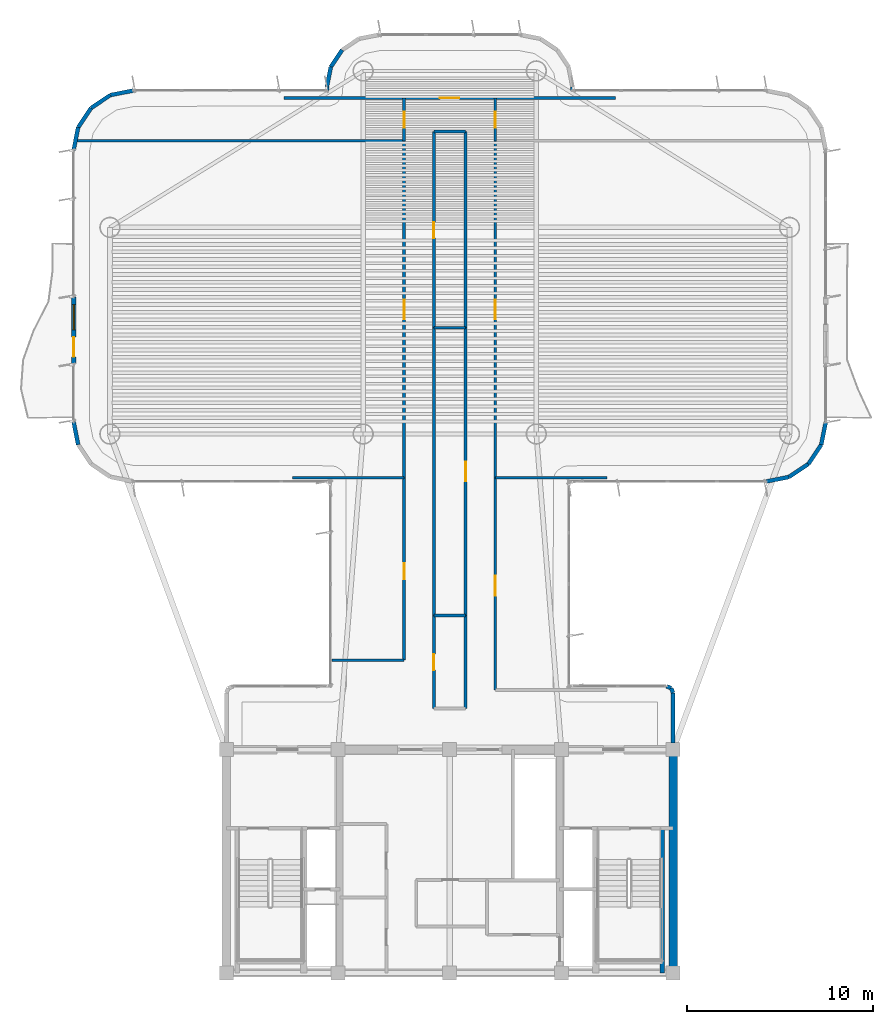
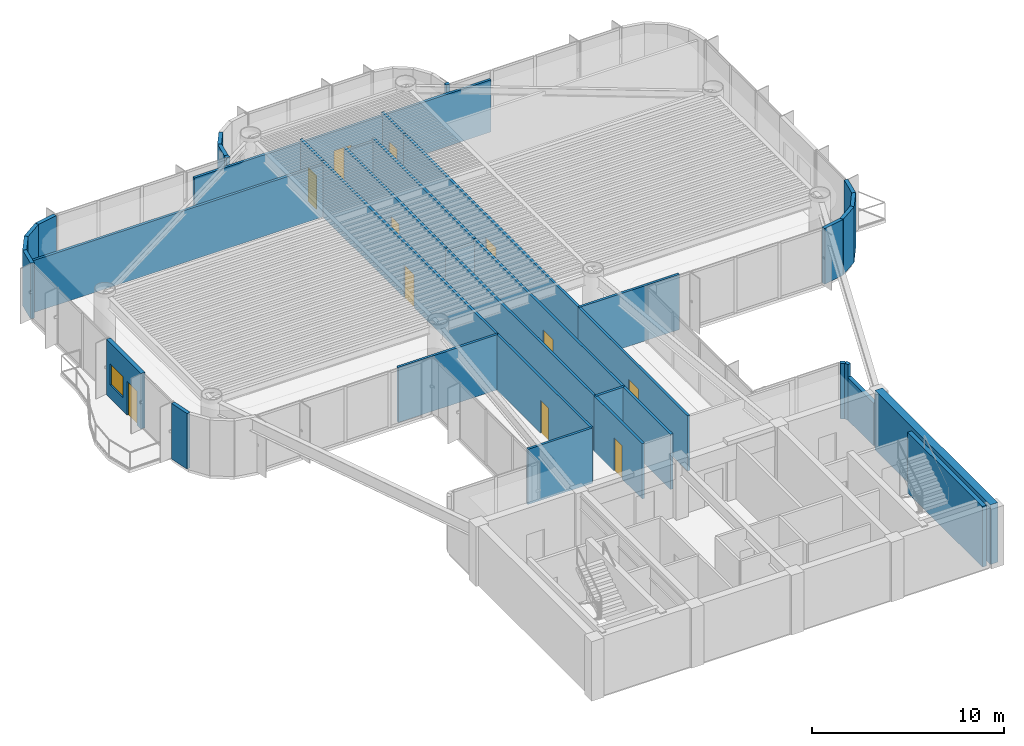
# One storey, part 10 of 13: 39 walls, 11 doors, 1 window, 12 openings.
"""IFC4 building model written with IfcOpenShell, lengths in metres."""

from ifc_helpers import new_model, si_unit, direction, frame, frame_2d, origin, origin_2d, place, context, subcontext, project, spatial, rectangle, extrude, source, transform, mapped, material, layer, layer_set, type_object, element, fill, save


model = new_model("IFC4")

# Units and contexts
model_context = context("Model", 3, precision=1e-05, world=origin(), true_north=direction((0.0, 1.0)))
body_context = subcontext(model_context, "Body", "Model", "MODEL_VIEW")
ifc_project = project(units=[si_unit("LENGTHUNIT", "METRE"), si_unit("AREAUNIT", "SQUARE_METRE"), si_unit("VOLUMEUNIT", "CUBIC_METRE"), si_unit("PLANEANGLEUNIT", "RADIAN"), si_unit("MASSUNIT", "GRAM", prefix="KILO")], contexts=[model_context])

# Site, building, storey
site_placement = place(None, origin())
site = spatial("IfcSite", under=ifc_project, at=site_placement, CompositionType="ELEMENT")
building_placement = place(site_placement, origin())
building = spatial("IfcBuilding", under=site, at=building_placement, Name="Brelvock Crest Care Tower", CompositionType="ELEMENT")
storey_placement = place(building_placement, frame((0.0, 0.0, 186.659912109375)))
storey = spatial("IfcBuildingStorey", under=building, at=storey_placement, Name="L47", CompositionType="ELEMENT", Elevation=186.659912109375)

# Walls
ifc_material_1 = material(Name="Concrete S65 (65 MPa)", Category="concrete")
ifc_layer_1 = layer(ifc_material_1, 0.449951171875, Name="WL-CS3")
ifc_layer_set_1 = layer_set([ifc_layer_1], Name="Concrete S65 (65 MPa)")
wall_type_1 = type_object("IfcWallType", Name="WL-CS3", PredefinedType="SHEAR", material=ifc_layer_set_1)
wall_1_placement = place(storey_placement, frame((48.0, 18.0, 0.0), z_axis=(0.0, 0.0, 1.0), x_axis=(0.0, -1.0, 0.0)))
element("IfcWall", 1, at=wall_1_placement, inside=storey, type_object=wall_type_1, Name="L47 Core East Shear Wall", PredefinedType="SHEAR", context=body_context, shape_type="SweptSolid", body=[
    extrude(rectangle(XDim=12.0, YDim=0.449951171875, at=frame_2d((6.0, 0.0))), origin(), (0.0, 0.0, 1.0), 3.780029296875),
])
ifc_material_2 = material(Name="Concrete S80 (80 MPa)", Category="concrete")
ifc_layer_2 = layer(ifc_material_2, 0.25, Name="WL-CS6")
ifc_layer_set_2 = layer_set([ifc_layer_2], Name="Concrete S80 (80 MPa)")
wall_type_2 = type_object("IfcWallType", Name="WL-CS6", PredefinedType="SHEAR", material=ifc_layer_set_2)
wall_2_placement = place(storey_placement, frame((47.419921875, 6.0, 0.0), z_axis=(0.0, 0.0, 1.0), x_axis=(0.0, 1.0, 0.0)))
element("IfcWall", 2, at=wall_2_placement, inside=storey, type_object=wall_type_2, Name="L47 Core Stair ST-2 East Shear Wall", PredefinedType="SHEAR", context=body_context, shape_type="SweptSolid", body=[
    extrude(rectangle(XDim=7.780029296875, YDim=0.25, at=frame_2d((3.89013671875, 0.0))), origin(), (0.0, 0.0, 1.0), 3.85009765625),
])

# Wall, openings, door, window
ifc_material_3 = material(Name="Precast concrete N40 (40 MPa)", Category="concrete")
ifc_layer_3 = layer(ifc_material_3, 0.239990234375, Name="WL-EX1")
ifc_layer_set_3 = layer_set([ifc_layer_3], Name="Precast concrete N40 (40 MPa)")
wall_type_3 = type_object("IfcWallType", Name="WL-EX1", PredefinedType="SOLIDWALL", material=ifc_layer_set_3)
wall_3_placement = place(storey_placement, frame((15.800048828125, 38.699951171875, 0.0), z_axis=(0.0, 0.0, 1.0), x_axis=(0.0, 1.0, 0.0)))
wall_3 = element("IfcWall", 3, at=wall_3_placement, inside=storey, type_object=wall_type_3, Name="L47 Exterior Spandrel Wall WL-BAL-L47-W", PredefinedType="SOLIDWALL", context=body_context, shape_type="SweptSolid", body=[
    extrude(rectangle(XDim=3.60009765625, YDim=0.239990234375, at=frame_2d((1.800048828125, 0.0))), origin(), (0.0, 0.0, 1.0), 3.530029296875),
])
opening_1_placement = place(wall_3_placement, frame((0.39990234375, 0.0, 0.0)))
opening_1 = element("IfcOpeningElement", 4, at=opening_1_placement, cuts=wall_3, Name="Opening BD-1", PredefinedType="OPENING", context=body_context, shape_type="SweptSolid", body=[
    extrude(rectangle(XDim=1.050048828125, YDim=2.14990234375, at=origin_2d()), frame((0.52490234375, 0.1298828125, 1.074951171875), z_axis=(0.0, -1.0, 0.0), x_axis=(1.0, 0.0, 0.0)), (0.0, 0.0, 1.0), 0.260009765625),
])
opening_2_placement = place(wall_3_placement, frame((1.85009765625, 0.0, 0.85009765625)))
opening_2 = element("IfcOpeningElement", 5, at=opening_2_placement, cuts=wall_3, Name="Opening W-01", PredefinedType="OPENING", context=body_context, shape_type="SweptSolid", body=[
    extrude(rectangle(XDim=1.35009765625, YDim=1.35009765625, at=origin_2d()), frame((0.675048828125, 0.1298828125, 0.675048828125), z_axis=(0.0, -1.0, 0.0), x_axis=(1.0, 0.0, 0.0)), (0.0, 0.0, 1.0), 0.260009765625),
])
ifc_material_4 = material(Name="Dark Glass Double Glazed Low-E", Category="glass")
door_type_1 = type_object("IfcDoorType", Name="DR-BAL1", OperationType="NOTDEFINED", PredefinedType="DOOR", material=ifc_material_4)
shared_shape_1 = source(origin(), body_context, "Body", "SweptSolid", [
    extrude(rectangle(XDim=1.050048828125, YDim=2.14990234375, at=origin_2d()), frame((0.52490234375, 0.02490234375, 1.074951171875), z_axis=(0.0, -1.0, 0.0), x_axis=(1.0, 0.0, 0.0)), (0.0, 0.0, 1.0), 0.050048828125),
])
door_1_placement = place(opening_1_placement, origin())
door_1 = element("IfcDoor", 6, at=door_1_placement, inside=storey, type_object=door_type_1, Name="L47 W Wave Balcony Glazed Door", OperationType="SINGLE_SWING_LEFT", OverallHeight=2.14990234375, OverallWidth=1.050048828125, PredefinedType="DOOR", context=body_context, shape_type="MappedRepresentation", body=[
    mapped(shared_shape_1, transform((0.0, 0.0, 0.0), x_axis=(1.0, 0.0, 0.0), y_axis=(0.0, 1.0, 0.0), z_axis=(0.0, 0.0, 1.0), scale=1.0)),
])
fill(opening_1, door_1)
window_type = type_object("IfcWindowType", Name="WN-EX1", PartitioningType="SINGLE_PANEL", PredefinedType="WINDOW", material=ifc_material_4)
shared_shape_2 = source(origin(), body_context, "Body", "SweptSolid", [
    extrude(rectangle(XDim=1.35009765625, YDim=1.35009765625, at=origin_2d()), frame((0.675048828125, 0.030029296875, 0.675048828125), z_axis=(0.0, -1.0, 0.0), x_axis=(1.0, 0.0, 0.0)), (0.0, 0.0, 1.0), 0.06005859375),
])
window_placement = place(opening_2_placement, origin())
window = element("IfcWindow", 7, at=window_placement, inside=storey, type_object=window_type, Name="L47 W Suite Casement Window", OverallHeight=1.35009765625, OverallWidth=1.35009765625, PartitioningType="SINGLE_PANEL", PredefinedType="WINDOW", context=body_context, shape_type="MappedRepresentation", body=[
    mapped(shared_shape_2, transform((0.0, 0.0, 0.0), x_axis=(1.0, 0.0, 0.0), y_axis=(0.0, 1.0, 0.0), z_axis=(0.0, 0.0, 1.0), scale=1.0)),
])
fill(opening_2, window)

# Walls
ifc_layer_4 = layer(ifc_material_3, 0.215087890625, Name="WL-EX2")
ifc_layer_set_4 = layer_set([ifc_layer_4], Name="Precast concrete N40 (40 MPa)")
wall_type_4 = type_object("IfcWallType", Name="WL-EX2", PredefinedType="SOLIDWALL", material=ifc_layer_set_4)
wall_4_placement = place(storey_placement, frame((47.8974609375, 21.297607421875, 0.0), z_axis=(0.0, 0.0, 1.0), x_axis=(0.382673670509, -0.923883575944, 0.0)))
element("IfcWall", 8, at=wall_4_placement, inside=storey, type_object=wall_type_4, Name="L47 Rounded Corner Wall 00", PredefinedType="SOLIDWALL", context=body_context, shape_type="SweptSolid", body=[
    extrude(rectangle(XDim=0.26806640625, YDim=0.215087890625, at=frame_2d((0.134033203125, 0.0))), origin(), (0.0, 0.0, 1.0), 3.530029296875),
])
wall_5_placement = place(storey_placement, frame((48.0, 21.050048828125, 0.0), z_axis=(0.0, 0.0, 1.0), x_axis=(0.0, -1.0, 0.0)))
element("IfcWall", 9, at=wall_5_placement, inside=storey, type_object=wall_type_4, Name="L47 Rounded Corner Wall 01", PredefinedType="SOLIDWALL", context=body_context, shape_type="SweptSolid", body=[
    extrude(rectangle(XDim=2.695068359375, YDim=0.215087890625, at=frame_2d((1.34765625, 0.0))), origin(), (0.0, 0.0, 1.0), 2.718017578125),
])
for number, where, z_axis, x_axis, name in (
    (10, (16.043701171875, 34.37548828125, 0.0), (0.0, 0.0, 1.0), (-0.195138390419, 0.980775717779, 0.0), "L47 Rounded Corner Wall 16"),
    (11, (15.800048828125, 50.199951171875, 0.0), (0.0, 0.0, 1.0), (0.195138390419, 0.980775717779, 0.0), "L47 Rounded Corner Wall 18"),
    (12, (16.043701171875, 51.424560546875, 0.0), (0.0, 0.0, 1.0), (0.555557312883, 0.831478245117, 0.0), "L47 Rounded Corner Wall 19"),
    (13, (16.7373046875, 52.462646484375, 0.0), (0.0, 0.0, 1.0), (0.831387912822, 0.555692485475, 0.0), "L47 Rounded Corner Wall 20"),
    (14, (17.775390625, 53.156494140625, 0.0), (0.0, 0.0, 1.0), (0.980813122964, 0.194950295773, 0.0), "L47 Rounded Corner Wall 21"),
):
    element("IfcWall", number, at=place(storey_placement, frame(where, z_axis=z_axis, x_axis=x_axis)), inside=storey, type_object=wall_type_4, Name=name, PredefinedType="SOLIDWALL", context=body_context, shape_type="SweptSolid", body=[
        extrude(rectangle(XDim=1.24853515625, YDim=0.215087890625, at=frame_2d((0.624267578125, 0.0))), origin(), (0.0, 0.0, 1.0), 3.530029296875),
    ])
wall_6_placement = place(storey_placement, frame((29.39990234375, 53.39990234375, 0.0), z_axis=(0.0, 0.0, 1.0), x_axis=(0.0, 1.0, 0.0)))
element("IfcWall", 15, at=wall_6_placement, inside=storey, type_object=wall_type_4, Name="L47 Rounded Corner Wall 23", PredefinedType="SOLIDWALL", context=body_context, shape_type="SweptSolid", body=[
    extrude(rectangle(XDim=0.2001953125, YDim=0.215087890625, at=frame_2d((0.10009765625, 0.0))), origin(), (0.0, 0.0, 1.0), 3.530029296875),
])
wall_7_placement = place(storey_placement, frame((29.39990234375, 53.60009765625, 0.0), z_axis=(0.0, 0.0, 1.0), x_axis=(0.195127417394, 0.980777900945, 0.0)))
element("IfcWall", 16, at=wall_7_placement, inside=storey, type_object=wall_type_4, Name="L47 Rounded Corner Wall 24", PredefinedType="SOLIDWALL", context=body_context, shape_type="SweptSolid", body=[
    extrude(rectangle(XDim=1.09228515625, YDim=0.215087890625, at=frame_2d((0.546142578125, 0.0))), origin(), (0.0, 0.0, 1.0), 3.530029296875),
])
wall_8_placement = place(storey_placement, frame((29.613037109375, 54.67138671875, 0.0), z_axis=(0.0, 0.0, 1.0), x_axis=(0.555679482341, 0.831396603857, 0.0)))
element("IfcWall", 17, at=wall_8_placement, inside=storey, type_object=wall_type_4, Name="L47 Rounded Corner Wall 25", PredefinedType="SOLIDWALL", context=body_context, shape_type="SweptSolid", body=[
    extrude(rectangle(XDim=1.0927734375, YDim=0.215087890625, at=frame_2d((0.54638671875, 0.0))), origin(), (0.0, 0.0, 1.0), 3.530029296875),
])
wall_9_placement = place(storey_placement, frame((42.60009765625, 53.60009765625, 0.0), z_axis=(0.0, 0.0, 1.0), x_axis=(0.0, -1.0, 0.0)))
element("IfcWall", 18, at=wall_9_placement, inside=storey, type_object=wall_type_4, Name="L47 Rounded Corner Wall 33", PredefinedType="SOLIDWALL", context=body_context, shape_type="SweptSolid", body=[
    extrude(rectangle(XDim=0.2001953125, YDim=0.215087890625, at=frame_2d((0.10009765625, 0.0))), origin(), (0.0, 0.0, 1.0), 3.530029296875),
])
for number, where, z_axis, x_axis, name in (
    (19, (56.199951171875, 35.60009765625, 0.0), (0.0, 0.0, 1.0), (-0.195138390419, -0.980775717779, 0.0), "L47 Rounded Corner Wall 40"),
    (20, (55.956298828125, 34.37548828125, 0.0), (0.0, 0.0, 1.0), (-0.555557312883, -0.831478245117, 0.0), "L47 Rounded Corner Wall 41"),
    (21, (55.2626953125, 33.33740234375, 0.0), (0.0, 0.0, 1.0), (-0.831387912822, -0.555692485475, 0.0), "L47 Rounded Corner Wall 42"),
    (22, (54.224609375, 32.6435546875, 0.0), (0.0, 0.0, 1.0), (-0.980775717779, -0.195138390419, 0.0), "L47 Rounded Corner Wall 43"),
):
    element("IfcWall", number, at=place(storey_placement, frame(where, z_axis=z_axis, x_axis=x_axis)), inside=storey, type_object=wall_type_4, Name=name, PredefinedType="SOLIDWALL", context=body_context, shape_type="SweptSolid", body=[
        extrude(rectangle(XDim=1.24853515625, YDim=0.215087890625, at=frame_2d((0.624267578125, 0.0))), origin(), (0.0, 0.0, 1.0), 3.530029296875),
    ])
wall_10_placement = place(storey_placement, frame((47.64990234375, 21.39990234375, 0.0), z_axis=(0.0, 0.0, 1.0), x_axis=(0.924205486139, -0.381895560841, 0.0)))
element("IfcWall", 23, at=wall_10_placement, inside=storey, type_object=wall_type_4, Name="L47 Rounded Corner Wall 47", PredefinedType="SOLIDWALL", context=body_context, shape_type="SweptSolid", body=[
    extrude(rectangle(XDim=0.267822265625, YDim=0.215087890625, at=frame_2d((0.1337890625, 0.0))), origin(), (0.0, 0.0, 1.0), 3.530029296875),
])
ifc_material_5 = material(Name="Masonry Blockwork Acoustic Partition", Category="masonry")
ifc_layer_5 = layer(ifc_material_5, 0.14990234375, Name="WL-INT1")
ifc_layer_set_5 = layer_set([ifc_layer_5], Name="Masonry Blockwork Acoustic Partition")
wall_type_5 = type_object("IfcWallType", Name="WL-INT1", PredefinedType="PARTITIONING", material=ifc_layer_set_5)
wall_11_placement = place(storey_placement, frame((29.6796875, 22.800048828125, 0.0), z_axis=(0.0, 0.0, 1.0), x_axis=(1.0, 0.0, 0.0)))
element("IfcWall", 24, at=wall_11_placement, inside=storey, type_object=wall_type_5, Name="L47 Interior Wall WL-BX-L47-THRW-S", PredefinedType="PARTITIONING", context=body_context, shape_type="SweptSolid", body=[
    extrude(rectangle(XDim=3.870361328125, YDim=0.14990234375, at=frame_2d((1.93505859375, 0.0))), origin(), (0.0, 0.0, 1.0), 3.5),
])
wall_12_placement = place(storey_placement, frame((27.55712890625, 32.60009765625, 0.0), z_axis=(0.0, 0.0, 1.0), x_axis=(1.0, 0.0, 0.0)))
element("IfcWall", 25, at=wall_12_placement, inside=storey, type_object=wall_type_5, Name="L47 Interior Wall WL-BX-L47-THRW-N", PredefinedType="PARTITIONING", context=body_context, shape_type="SweptSolid", body=[
    extrude(rectangle(XDim=5.992919921875, YDim=0.14990234375, at=frame_2d((2.99658203125, 0.0))), origin(), (0.0, 0.0, 1.0), 3.5),
])
wall_13_placement = place(storey_placement, frame((38.449951171875, 32.60009765625, 0.0), z_axis=(0.0, 0.0, 1.0), x_axis=(1.0, 0.0, 0.0)))
element("IfcWall", 26, at=wall_13_placement, inside=storey, type_object=wall_type_5, Name="L47 Interior Wall WL-BX-L47-ECLB-S", PredefinedType="PARTITIONING", context=body_context, shape_type="SweptSolid", body=[
    extrude(rectangle(XDim=5.993408203125, YDim=0.14990234375, at=frame_2d((2.99658203125, 0.0))), origin(), (0.0, 0.0, 1.0), 3.5),
])
wall_14_placement = place(storey_placement, frame((35.14990234375, 40.659912109375, 0.0), z_axis=(0.0, 0.0, 1.0), x_axis=(1.0, 0.0, 0.0)))
element("IfcWall", 27, at=wall_14_placement, inside=storey, type_object=wall_type_5, Name="L47 Interior Wall WL-BX-L47-ISKT-S", PredefinedType="PARTITIONING", context=body_context, shape_type="SweptSolid", body=[
    extrude(rectangle(XDim=1.7001953125, YDim=0.14990234375, at=frame_2d((0.85009765625, 0.0))), origin(), (0.0, 0.0, 1.0), 3.259033203125),
])
wall_15_placement = place(storey_placement, frame((15.98095703125, 50.699951171875, 0.0), z_axis=(0.0, 0.0, 1.0), x_axis=(1.0, 0.0, 0.0)))
element("IfcWall", 28, at=wall_15_placement, inside=storey, type_object=wall_type_5, Name="L47 Interior Wall WL-BX-L47-NALW-S", PredefinedType="PARTITIONING", context=body_context, shape_type="SweptSolid", body=[
    extrude(rectangle(XDim=17.569091796875, YDim=0.14990234375, at=frame_2d((8.78466796875, 0.0))), origin(), (0.0, 0.0, 1.0), 3.30810546875),
])
wall_16_placement = place(storey_placement, frame((35.14990234375, 51.199951171875, 0.0), z_axis=(0.0, 0.0, 1.0), x_axis=(1.0, 0.0, 0.0)))
element("IfcWall", 29, at=wall_16_placement, inside=storey, type_object=wall_type_5, Name="L47 Interior Wall WL-BX-L47-ISKT-N", PredefinedType="PARTITIONING", context=body_context, shape_type="SweptSolid", body=[
    extrude(rectangle(XDim=1.7001953125, YDim=0.14990234375, at=frame_2d((0.85009765625, 0.0))), origin(), (0.0, 0.0, 1.0), 3.30810546875),
])

# Wall, opening, door
wall_17_placement = place(storey_placement, frame((27.10009765625, 53.0, 0.0), z_axis=(0.0, 0.0, 1.0), x_axis=(1.0, 0.0, 0.0)))
wall_17 = element("IfcWall", 30, at=wall_17_placement, inside=storey, type_object=wall_type_5, Name="L47 Interior Wall WL-RM-L47-NHUB", PredefinedType="PARTITIONING", context=body_context, shape_type="SweptSolid", body=[
    extrude(rectangle(XDim=17.7998046875, YDim=0.14990234375, at=frame_2d((8.89990234375, 0.0))), origin(), (0.0, 0.0, 1.0), 3.30810546875),
])
opening_3_placement = place(wall_17_placement, frame((8.375, 0.0, 0.0)))
opening_3 = element("IfcOpeningElement", 31, at=opening_3_placement, cuts=wall_17, Name="Opening CLD-1", PredefinedType="OPENING", context=body_context, shape_type="SweptSolid", body=[
    extrude(rectangle(XDim=1.050048828125, YDim=2.10009765625, at=origin_2d()), frame((0.52490234375, 0.0849609375, 1.050048828125), z_axis=(0.0, -1.0, 0.0), x_axis=(1.0, 0.0, 0.0)), (0.0, 0.0, 1.0), 0.169921875),
])
ifc_material_6 = material(Name="Engineered Hardwood Timber", Category="wood")
door_type_2 = type_object("IfcDoorType", Name="DR-CLN1", OperationType="NOTDEFINED", PredefinedType="DOOR", material=ifc_material_6)
shared_shape_3 = source(origin(), body_context, "Body", "SweptSolid", [
    extrude(rectangle(XDim=1.050048828125, YDim=2.10009765625, at=origin_2d()), frame((0.52490234375, 0.02490234375, 1.050048828125), z_axis=(0.0, -1.0, 0.0), x_axis=(1.0, 0.0, 0.0)), (0.0, 0.0, 1.0), 0.050048828125),
])
door_2_placement = place(opening_3_placement, origin())
door_2 = element("IfcDoor", 32, at=door_2_placement, inside=storey, type_object=door_type_2, Name="L47 Harbour Lookout Dining Salon Door NHUB", OperationType="SINGLE_SWING_LEFT", OverallHeight=2.10009765625, OverallWidth=1.050048828125, PredefinedType="DOOR", context=body_context, shape_type="MappedRepresentation", body=[
    mapped(shared_shape_3, transform((0.0, 0.0, 0.0), x_axis=(1.0, 0.0, 0.0), y_axis=(0.0, 1.0, 0.0), z_axis=(0.0, 0.0, 1.0), scale=1.0)),
])
fill(opening_3, door_2)

wall_18_placement = place(storey_placement, frame((33.550048828125, 22.800048828125, 0.0), z_axis=(0.0, 0.0, 1.0), x_axis=(0.0, 1.0, 0.0)))
wall_18 = element("IfcWall", 33, at=wall_18_placement, inside=storey, type_object=wall_type_5, Name="L47 Interior Wall WL-RM-L47-THRW", PredefinedType="PARTITIONING", context=body_context, shape_type="SweptSolid", body=[
    extrude(rectangle(XDim=9.800048828125, YDim=0.14990234375, at=frame_2d((4.89990234375, 0.0))), origin(), (0.0, 0.0, 1.0), 3.5),
])
opening_4_placement = place(wall_18_placement, frame((4.340087890625, 0.0, 0.0)))
opening_4 = element("IfcOpeningElement", 34, at=opening_4_placement, cuts=wall_18, Name="Opening ID-1", PredefinedType="OPENING", context=body_context, shape_type="SweptSolid", body=[
    extrude(rectangle(XDim=0.860107421875, YDim=2.10009765625, at=origin_2d()), frame((0.43017578125, 0.0849609375, 1.050048828125), z_axis=(0.0, -1.0, 0.0), x_axis=(1.0, 0.0, 0.0)), (0.0, 0.0, 1.0), 0.169921875),
])
door_type_3 = type_object("IfcDoorType", Name="DR-INT1", OperationType="NOTDEFINED", PredefinedType="DOOR", material=ifc_material_6)
shared_shape_4 = source(origin(), body_context, "Body", "SweptSolid", [
    extrude(rectangle(XDim=0.860107421875, YDim=2.10009765625, at=origin_2d()), frame((0.43017578125, 0.02490234375, 1.050048828125), z_axis=(0.0, -1.0, 0.0), x_axis=(1.0, 0.0, 0.0)), (0.0, 0.0, 1.0), 0.050048828125),
])
door_3_placement = place(opening_4_placement, origin())
door_3 = element("IfcDoor", 35, at=door_3_placement, inside=storey, type_object=door_type_3, Name="L47 Quiet Family Consultation Room Door THRW", OperationType="SINGLE_SWING_LEFT", OverallHeight=2.10009765625, OverallWidth=0.860107421875, PredefinedType="DOOR", context=body_context, shape_type="MappedRepresentation", body=[
    mapped(shared_shape_4, transform((0.0, 0.0, 0.0), x_axis=(1.0, 0.0, 0.0), y_axis=(0.0, 1.0, 0.0), z_axis=(0.0, 0.0, 1.0), scale=1.0)),
])
fill(opening_4, door_3)

wall_19_placement = place(storey_placement, frame((33.550048828125, 32.60009765625, 0.0), z_axis=(0.0, 0.0, 1.0), x_axis=(0.0, 1.0, 0.0)))
wall_19 = element("IfcWall", 36, at=wall_19_placement, inside=storey, type_object=wall_type_5, Name="L47 Interior Wall WL-RM-L47-WCLB", PredefinedType="PARTITIONING", context=body_context, shape_type="SweptSolid", body=[
    extrude(rectangle(XDim=18.099853515625, YDim=0.14990234375, at=frame_2d((9.0498046875, 0.0))), origin(), (0.0, 0.0, 1.0), 3.5),
])
opening_5_placement = place(wall_19_placement, frame((8.52490234375, 0.0, 0.0)))
opening_5 = element("IfcOpeningElement", 37, at=opening_5_placement, cuts=wall_19, Name="Opening CLD-1", PredefinedType="OPENING", context=body_context, shape_type="SweptSolid", body=[
    extrude(rectangle(XDim=1.050048828125, YDim=2.10009765625, at=origin_2d()), frame((0.52490234375, 0.0849609375, 1.050048828125), z_axis=(0.0, -1.0, 0.0), x_axis=(1.0, 0.0, 0.0)), (0.0, 0.0, 1.0), 0.169921875),
])
door_4_placement = place(opening_5_placement, origin())
door_4 = element("IfcDoor", 38, at=door_4_placement, inside=storey, type_object=door_type_2, Name="L47 Sky Harbour Club Lounge Door WCLB", OperationType="SINGLE_SWING_LEFT", OverallHeight=2.10009765625, OverallWidth=1.050048828125, PredefinedType="DOOR", context=body_context, shape_type="MappedRepresentation", body=[
    mapped(shared_shape_3, transform((0.0, 0.0, 0.0), x_axis=(1.0, 0.0, 0.0), y_axis=(0.0, 1.0, 0.0), z_axis=(0.0, 0.0, 1.0), scale=1.0)),
])
fill(opening_5, door_4)

wall_20_placement = place(storey_placement, frame((33.550048828125, 50.699951171875, 0.0), z_axis=(0.0, 0.0, 1.0), x_axis=(0.0, 1.0, 0.0)))
wall_20 = element("IfcWall", 39, at=wall_20_placement, inside=storey, type_object=wall_type_5, Name="L47 Interior Wall WL-RM-L47-NALW", PredefinedType="PARTITIONING", context=body_context, shape_type="SweptSolid", body=[
    extrude(rectangle(XDim=2.300048828125, YDim=0.14990234375, at=frame_2d((1.14990234375, 0.0))), origin(), (0.0, 0.0, 1.0), 3.5),
])
opening_6_placement = place(wall_20_placement, frame((0.68994140625, 0.0, 0.0)))
opening_6 = element("IfcOpeningElement", 40, at=opening_6_placement, cuts=wall_20, Name="Opening ID-1", PredefinedType="OPENING", context=body_context, shape_type="SweptSolid", body=[
    extrude(rectangle(XDim=0.860107421875, YDim=2.10009765625, at=origin_2d()), frame((0.43017578125, 0.0849609375, 1.050048828125), z_axis=(0.0, -1.0, 0.0), x_axis=(1.0, 0.0, 0.0)), (0.0, 0.0, 1.0), 0.169921875),
])
door_5_placement = place(opening_6_placement, origin())
door_5 = element("IfcDoor", 41, at=door_5_placement, inside=storey, type_object=door_type_3, Name="L47 North West Sun Alcove Door NALW", OperationType="SINGLE_SWING_LEFT", OverallHeight=2.10009765625, OverallWidth=0.860107421875, PredefinedType="DOOR", context=body_context, shape_type="MappedRepresentation", body=[
    mapped(shared_shape_4, transform((0.0, 0.0, 0.0), x_axis=(1.0, 0.0, 0.0), y_axis=(0.0, 1.0, 0.0), z_axis=(0.0, 0.0, 1.0), scale=1.0)),
])
fill(opening_6, door_5)

# Wall
wall_21_placement = place(storey_placement, frame((35.14990234375, 25.199951171875, 0.0), z_axis=(0.0, 0.0, 1.0), x_axis=(0.0, 1.0, 0.0)))
element("IfcWall", 42, at=wall_21_placement, inside=storey, type_object=wall_type_5, Name="L47 Interior Wall WL-BX-L47-ISNS-W", PredefinedType="PARTITIONING", context=body_context, shape_type="SweptSolid", body=[
    extrude(rectangle(XDim=15.4599609375, YDim=0.14990234375, at=frame_2d((7.72998046875, 0.0))), origin(), (0.0, 0.0, 1.0), 3.5),
])

# Wall, opening, door
wall_22_placement = place(storey_placement, frame((35.14990234375, 40.659912109375, 0.0), z_axis=(0.0, 0.0, 1.0), x_axis=(0.0, 1.0, 0.0)))
wall_22 = element("IfcWall", 43, at=wall_22_placement, inside=storey, type_object=wall_type_5, Name="L47 Interior Wall WL-RM-L47-ISKT", PredefinedType="PARTITIONING", context=body_context, shape_type="SweptSolid", body=[
    extrude(rectangle(XDim=10.5400390625, YDim=0.14990234375, at=frame_2d((5.27001953125, 0.0))), origin(), (0.0, 0.0, 1.0), 3.5),
])
opening_7_placement = place(wall_22_placement, frame((4.81005859375, 0.0, 0.0)))
opening_7 = element("IfcOpeningElement", 44, at=opening_7_placement, cuts=wall_22, Name="Opening ID-1", PredefinedType="OPENING", context=body_context, shape_type="SweptSolid", body=[
    extrude(rectangle(XDim=0.860107421875, YDim=2.10009765625, at=origin_2d()), frame((0.43017578125, 0.0849609375, 1.050048828125), z_axis=(0.0, -1.0, 0.0), x_axis=(1.0, 0.0, 0.0)), (0.0, 0.0, 1.0), 0.169921875),
])
door_6_placement = place(opening_7_placement, origin())
door_6 = element("IfcDoor", 45, at=door_6_placement, inside=storey, type_object=door_type_3, Name="L47 Communal Tea and Nutrition Pantry Door ISKT", OperationType="SINGLE_SWING_LEFT", OverallHeight=2.10009765625, OverallWidth=0.860107421875, PredefinedType="DOOR", context=body_context, shape_type="MappedRepresentation", body=[
    mapped(shared_shape_4, transform((0.0, 0.0, 0.0), x_axis=(1.0, 0.0, 0.0), y_axis=(0.0, 1.0, 0.0), z_axis=(0.0, 0.0, 1.0), scale=1.0)),
])
fill(opening_7, door_6)

wall_23_placement = place(storey_placement, frame((36.85009765625, 25.199951171875, 0.0), z_axis=(0.0, 0.0, 1.0), x_axis=(0.0, 1.0, 0.0)))
wall_23 = element("IfcWall", 46, at=wall_23_placement, inside=storey, type_object=wall_type_5, Name="L47 Interior Wall WL-RM-L47-ISNS", PredefinedType="PARTITIONING", context=body_context, shape_type="SweptSolid", body=[
    extrude(rectangle(XDim=15.4599609375, YDim=0.14990234375, at=frame_2d((7.72998046875, 0.0))), origin(), (0.0, 0.0, 1.0), 3.5),
])
opening_8_placement = place(wall_23_placement, frame((7.205078125, 0.0, 0.0)))
opening_8 = element("IfcOpeningElement", 47, at=opening_8_placement, cuts=wall_23, Name="Opening CLD-1", PredefinedType="OPENING", context=body_context, shape_type="SweptSolid", body=[
    extrude(rectangle(XDim=1.050048828125, YDim=2.10009765625, at=origin_2d()), frame((0.52490234375, 0.0849609375, 1.050048828125), z_axis=(0.0, -1.0, 0.0), x_axis=(1.0, 0.0, 0.0)), (0.0, 0.0, 1.0), 0.169921875),
])
door_7_placement = place(opening_8_placement, origin())
door_7 = element("IfcDoor", 48, at=door_7_placement, inside=storey, type_object=door_type_2, Name="L47 Care Concierge and Triage Station Door ISNS", OperationType="SINGLE_SWING_LEFT", OverallHeight=2.10009765625, OverallWidth=1.050048828125, PredefinedType="DOOR", context=body_context, shape_type="MappedRepresentation", body=[
    mapped(shared_shape_3, transform((0.0, 0.0, 0.0), x_axis=(1.0, 0.0, 0.0), y_axis=(0.0, 1.0, 0.0), z_axis=(0.0, 0.0, 1.0), scale=1.0)),
])
fill(opening_8, door_7)

# Wall
wall_24_placement = place(storey_placement, frame((36.85009765625, 40.659912109375, 0.0), z_axis=(0.0, 0.0, 1.0), x_axis=(0.0, 1.0, 0.0)))
element("IfcWall", 49, at=wall_24_placement, inside=storey, type_object=wall_type_5, Name="L47 Interior Wall WL-BX-L47-ISKT-E", PredefinedType="PARTITIONING", context=body_context, shape_type="SweptSolid", body=[
    extrude(rectangle(XDim=10.5400390625, YDim=0.14990234375, at=frame_2d((5.27001953125, 0.0))), origin(), (0.0, 0.0, 1.0), 3.5),
])

# Wall, opening, door
wall_25_placement = place(storey_placement, frame((38.449951171875, 21.199951171875, 0.0), z_axis=(0.0, 0.0, 1.0), x_axis=(0.0, 1.0, 0.0)))
wall_25 = element("IfcWall", 50, at=wall_25_placement, inside=storey, type_object=wall_type_5, Name="L47 Interior Wall WL-RM-L47-THRE", PredefinedType="PARTITIONING", context=body_context, shape_type="SweptSolid", body=[
    extrude(rectangle(XDim=11.400146484375, YDim=0.14990234375, at=frame_2d((5.7001953125, 0.0))), origin(), (0.0, 0.0, 1.0), 3.5),
])
opening_9_placement = place(wall_25_placement, frame((5.074951171875, 0.0, 0.0)))
opening_9 = element("IfcOpeningElement", 51, at=opening_9_placement, cuts=wall_25, Name="Opening CLD-1", PredefinedType="OPENING", context=body_context, shape_type="SweptSolid", body=[
    extrude(rectangle(XDim=1.050048828125, YDim=2.10009765625, at=origin_2d()), frame((0.52490234375, 0.0849609375, 1.050048828125), z_axis=(0.0, -1.0, 0.0), x_axis=(1.0, 0.0, 0.0)), (0.0, 0.0, 1.0), 0.169921875),
])
door_8_placement = place(opening_9_placement, origin())
door_8 = element("IfcDoor", 52, at=door_8_placement, inside=storey, type_object=door_type_2, Name="L47 Allied Health Therapy Room Door THRE", OperationType="SINGLE_SWING_LEFT", OverallHeight=2.10009765625, OverallWidth=1.050048828125, PredefinedType="DOOR", context=body_context, shape_type="MappedRepresentation", body=[
    mapped(shared_shape_3, transform((0.0, 0.0, 0.0), x_axis=(1.0, 0.0, 0.0), y_axis=(0.0, 1.0, 0.0), z_axis=(0.0, 0.0, 1.0), scale=1.0)),
])
fill(opening_9, door_8)

wall_26_placement = place(storey_placement, frame((38.449951171875, 32.60009765625, 0.0), z_axis=(0.0, 0.0, 1.0), x_axis=(0.0, 1.0, 0.0)))
wall_26 = element("IfcWall", 53, at=wall_26_placement, inside=storey, type_object=wall_type_5, Name="L47 Interior Wall WL-RM-L47-ECLB", PredefinedType="PARTITIONING", context=body_context, shape_type="SweptSolid", body=[
    extrude(rectangle(XDim=18.099853515625, YDim=0.14990234375, at=frame_2d((9.0498046875, 0.0))), origin(), (0.0, 0.0, 1.0), 3.5),
])
opening_10_placement = place(wall_26_placement, frame((8.52490234375, 0.0, 0.0)))
opening_10 = element("IfcOpeningElement", 54, at=opening_10_placement, cuts=wall_26, Name="Opening CLD-1", PredefinedType="OPENING", context=body_context, shape_type="SweptSolid", body=[
    extrude(rectangle(XDim=1.050048828125, YDim=2.10009765625, at=origin_2d()), frame((0.52490234375, 0.0849609375, 1.050048828125), z_axis=(0.0, -1.0, 0.0), x_axis=(1.0, 0.0, 0.0)), (0.0, 0.0, 1.0), 0.169921875),
])
door_9_placement = place(opening_10_placement, origin())
door_9 = element("IfcDoor", 55, at=door_9_placement, inside=storey, type_object=door_type_2, Name="L47 Senior Botanical Reading Salon Door ECLB", OperationType="SINGLE_SWING_LEFT", OverallHeight=2.10009765625, OverallWidth=1.050048828125, PredefinedType="DOOR", context=body_context, shape_type="MappedRepresentation", body=[
    mapped(shared_shape_3, transform((0.0, 0.0, 0.0), x_axis=(1.0, 0.0, 0.0), y_axis=(0.0, 1.0, 0.0), z_axis=(0.0, 0.0, 1.0), scale=1.0)),
])
fill(opening_10, door_9)

wall_27_placement = place(storey_placement, frame((38.449951171875, 50.699951171875, 0.0), z_axis=(0.0, 0.0, 1.0), x_axis=(0.0, 1.0, 0.0)))
wall_27 = element("IfcWall", 56, at=wall_27_placement, inside=storey, type_object=wall_type_5, Name="L47 Interior Wall WL-RM-L47-NALE", PredefinedType="PARTITIONING", context=body_context, shape_type="SweptSolid", body=[
    extrude(rectangle(XDim=2.300048828125, YDim=0.14990234375, at=frame_2d((1.14990234375, 0.0))), origin(), (0.0, 0.0, 1.0), 3.5),
])
opening_11_placement = place(wall_27_placement, frame((0.68994140625, 0.0, 0.0)))
opening_11 = element("IfcOpeningElement", 57, at=opening_11_placement, cuts=wall_27, Name="Opening ID-1", PredefinedType="OPENING", context=body_context, shape_type="SweptSolid", body=[
    extrude(rectangle(XDim=0.860107421875, YDim=2.10009765625, at=origin_2d()), frame((0.43017578125, 0.0849609375, 1.050048828125), z_axis=(0.0, -1.0, 0.0), x_axis=(1.0, 0.0, 0.0)), (0.0, 0.0, 1.0), 0.169921875),
])
door_10_placement = place(opening_11_placement, origin())
door_10 = element("IfcDoor", 58, at=door_10_placement, inside=storey, type_object=door_type_3, Name="L47 North East Tea Alcove Door NALE", OperationType="SINGLE_SWING_LEFT", OverallHeight=2.10009765625, OverallWidth=0.860107421875, PredefinedType="DOOR", context=body_context, shape_type="MappedRepresentation", body=[
    mapped(shared_shape_4, transform((0.0, 0.0, 0.0), x_axis=(1.0, 0.0, 0.0), y_axis=(0.0, 1.0, 0.0), z_axis=(0.0, 0.0, 1.0), scale=1.0)),
])
fill(opening_11, door_10)

# Wall
ifc_material_7 = material(Name="Gypsum Plasterboard Partition", Category="gypsum")
ifc_layer_6 = layer(ifc_material_7, 0.159912109375, Name="WL-PLM1")
ifc_layer_set_6 = layer_set([ifc_layer_6], Name="Gypsum Plasterboard Partition")
wall_type_6 = type_object("IfcWallType", Name="WL-PLM1", PredefinedType="PLUMBINGWALL", material=ifc_layer_set_6)
wall_28_placement = place(storey_placement, frame((35.14990234375, 25.199951171875, 0.0), z_axis=(0.0, 0.0, 1.0), x_axis=(1.0, 0.0, 0.0)))
element("IfcWall", 59, at=wall_28_placement, inside=storey, type_object=wall_type_6, Name="L47 Interior Wall WL-BX-L47-ISNS-S", PredefinedType="PLUMBINGWALL", context=body_context, shape_type="SweptSolid", body=[
    extrude(rectangle(XDim=1.7001953125, YDim=0.159912109375, at=frame_2d((0.85009765625, 0.0))), origin(), (0.0, 0.0, 1.0), 3.5),
])

# Wall, opening, door
wall_29_placement = place(storey_placement, frame((35.14990234375, 20.199951171875, 0.0), z_axis=(0.0, 0.0, 1.0), x_axis=(0.0, 1.0, 0.0)))
wall_29 = element("IfcWall", 60, at=wall_29_placement, inside=storey, type_object=wall_type_6, Name="L47 Interior Wall WL-RM-L47-ISWC", PredefinedType="PLUMBINGWALL", context=body_context, shape_type="SweptSolid", body=[
    extrude(rectangle(XDim=5.0, YDim=0.159912109375, at=frame_2d((2.5, 0.0))), origin(), (0.0, 0.0, 1.0), 3.5),
])
opening_12_placement = place(wall_29_placement, frame((2.070068359375, 0.0, 0.0)))
opening_12 = element("IfcOpeningElement", 61, at=opening_12_placement, cuts=wall_29, Name="Opening WD-1", PredefinedType="OPENING", context=body_context, shape_type="SweptSolid", body=[
    extrude(rectangle(XDim=0.860107421875, YDim=2.10009765625, at=origin_2d()), frame((0.43017578125, 0.08984375, 1.050048828125), z_axis=(0.0, -1.0, 0.0), x_axis=(1.0, 0.0, 0.0)), (0.0, 0.0, 1.0), 0.179931640625),
])
door_type_4 = type_object("IfcDoorType", Name="DR-WC1", OperationType="NOTDEFINED", PredefinedType="DOOR", material=ifc_material_6)
shared_shape_5 = source(origin(), body_context, "Body", "SweptSolid", [
    extrude(rectangle(XDim=0.860107421875, YDim=2.10009765625, at=origin_2d()), frame((0.43017578125, 0.02490234375, 1.050048828125), z_axis=(0.0, -1.0, 0.0), x_axis=(1.0, 0.0, 0.0)), (0.0, 0.0, 1.0), 0.050048828125),
])
door_11_placement = place(opening_12_placement, origin())
door_11 = element("IfcDoor", 62, at=door_11_placement, inside=storey, type_object=door_type_4, Name="L47 High-Zone Accessible WC Door ISWC", OperationType="SINGLE_SWING_LEFT", OverallHeight=2.10009765625, OverallWidth=0.860107421875, PredefinedType="DOOR", context=body_context, shape_type="MappedRepresentation", body=[
    mapped(shared_shape_5, transform((0.0, 0.0, 0.0), x_axis=(1.0, 0.0, 0.0), y_axis=(0.0, 1.0, 0.0), z_axis=(0.0, 0.0, 1.0), scale=1.0)),
])
fill(opening_12, door_11)

# Wall
wall_30_placement = place(storey_placement, frame((36.85009765625, 20.199951171875, 0.0), z_axis=(0.0, 0.0, 1.0), x_axis=(0.0, 1.0, 0.0)))
element("IfcWall", 63, at=wall_30_placement, inside=storey, type_object=wall_type_6, Name="L47 Interior Wall WL-BX-L47-ISWC-E", PredefinedType="PLUMBINGWALL", context=body_context, shape_type="SweptSolid", body=[
    extrude(rectangle(XDim=5.0, YDim=0.159912109375, at=frame_2d((2.5, 0.0))), origin(), (0.0, 0.0, 1.0), 3.5),
])

save(model, "model.ifc")
